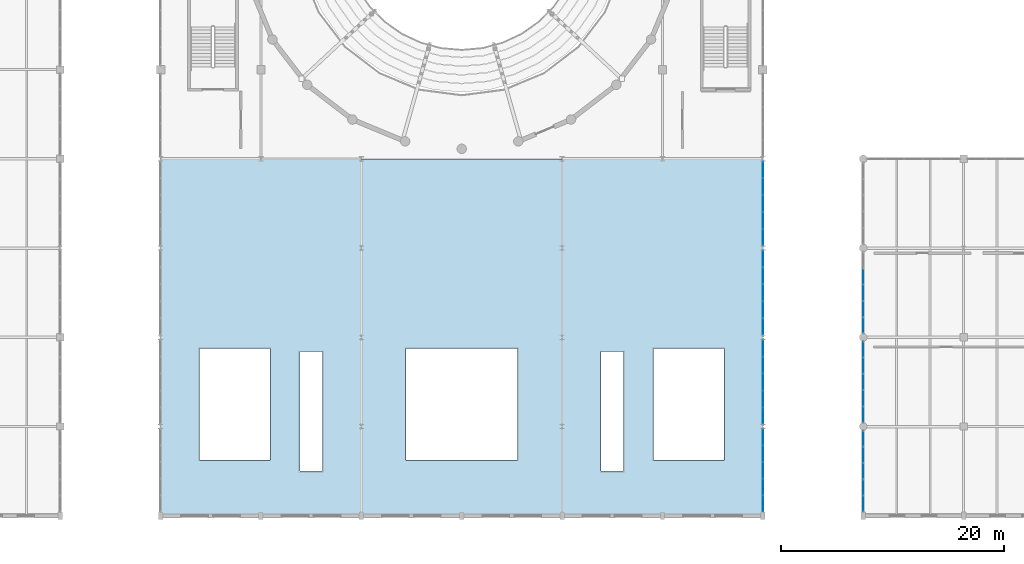
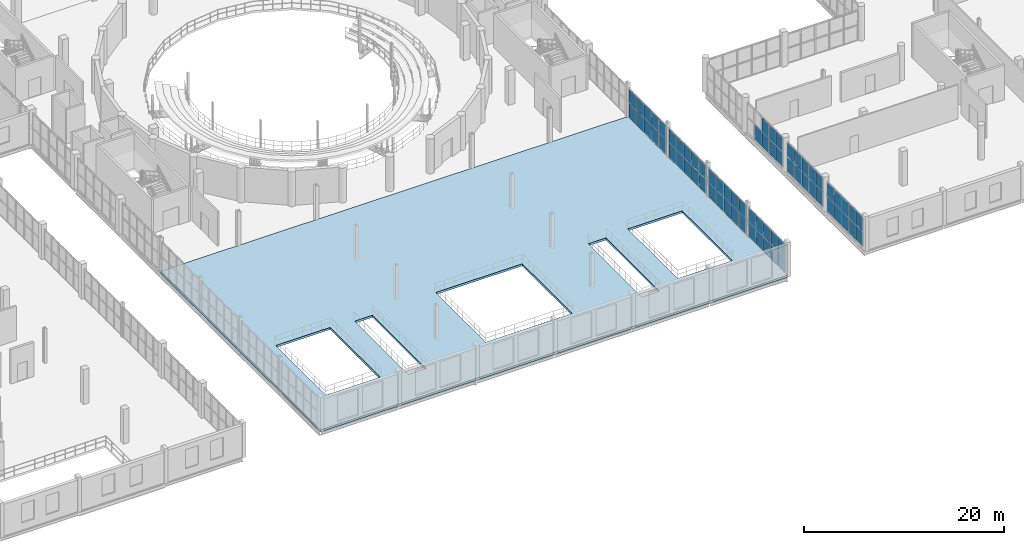
# One storey, part 52 of 85: 67 plates, 1 slab, 7 elements without a shape of their own.
"""IFC4 building model written with IfcOpenShell, lengths in metres."""

from ifc_helpers import new_model, si_unit, direction, frame, origin, origin_2d, place, context, subcontext, project, spatial, polyline, rectangle, outline, extrude, material, layer, layer_set, type_object, element, aggregate, save


model = new_model("IFC4")

# Units and contexts
model_context = context("Model", 3, precision=1e-05, world=origin(), true_north=direction((0.0, 1.0)))
body_context = subcontext(model_context, "Body", "Model", "MODEL_VIEW")
ifc_project = project(units=[si_unit("LENGTHUNIT", "METRE"), si_unit("AREAUNIT", "SQUARE_METRE"), si_unit("VOLUMEUNIT", "CUBIC_METRE"), si_unit("PLANEANGLEUNIT", "RADIAN"), si_unit("MASSUNIT", "GRAM", prefix="KILO")], contexts=[model_context])

# Site, building, storey
site_placement = place(None, origin())
site = spatial("IfcSite", under=ifc_project, at=site_placement, CompositionType="ELEMENT")
building_placement = place(site_placement, origin())
building = spatial("IfcBuilding", under=site, at=building_placement, Name="Marnock Terrace Opera House", CompositionType="ELEMENT")
storey_placement = place(building_placement, frame((0.0, 0.0, 10.199951171875)))
storey = spatial("IfcBuildingStorey", under=building, at=storey_placement, Name="L02", CompositionType="ELEMENT", Elevation=10.199951171875)

# Curtain wall, plates
ifc_material_1 = material(Name="Anodised architectural bronze aluminium framing", Category="aluminium")
ifc_layer_1 = layer(ifc_material_1, 0.159912109375)
ifc_layer_set_1 = layer_set([ifc_layer_1], Name="Anodised architectural bronze aluminium framing")
curtain_wall_type_1 = type_object("IfcCurtainWallType", Name="CW-FOYER-80x42", PredefinedType="NOTDEFINED", material=ifc_layer_set_1)
curtain_wall_1_placement = place(storey_placement, origin())
curtain_wall_1 = element("IfcCurtainWall", 1, at=curtain_wall_1_placement, inside=storey, type_object=curtain_wall_type_1, Name="L02 glazed Beaux-Arts colonnade curtain wall CW-V1E-L02-01", PredefinedType="NOTDEFINED")
ifc_material_2 = material(Name="Double-glazed acoustic low-E laminated glass", Category="glass")
ifc_layer_2 = layer(ifc_material_2, 0.028076171875)
ifc_layer_set_2 = layer_set([ifc_layer_2], Name="Double-glazed acoustic low-E laminated glass")
plate_type = type_object("IfcPlateType", Name="CWP-GLZ-28", PredefinedType="CURTAIN_PANEL", material=ifc_layer_set_2)
plate_1_placement = place(storey_placement, frame((109.0, 9.106689453125, 0.06005859375), z_axis=(0.0, 0.0, 1.0), x_axis=(0.0, 1.0, 0.0)))
plate_1 = element("IfcPlate", 2, at=plate_1_placement, type_object=plate_type, Name="CW-62 panel 1.1", PredefinedType="CURTAIN_PANEL", context=body_context, shape_type="SweptSolid", body=[
    extrude(rectangle(XDim=1.401611328125, YDim=0.028076171875, at=origin_2d()), origin(), (0.0, 0.0, 1.0), 1.7861328125),
])
plate_2_placement = place(storey_placement, frame((109.0, 9.106689453125, 1.90625), z_axis=(0.0, 0.0, 1.0), x_axis=(0.0, 1.0, 0.0)))
plate_2 = element("IfcPlate", 3, at=plate_2_placement, type_object=plate_type, Name="CW-62 panel 1.2", PredefinedType="CURTAIN_PANEL", context=body_context, shape_type="SweptSolid", body=[
    extrude(rectangle(XDim=1.401611328125, YDim=0.028076171875, at=origin_2d()), origin(), (0.0, 0.0, 1.0), 1.641845703125),
])
plate_3_placement = place(storey_placement, frame((109.0, 10.58349609375, 0.06005859375), z_axis=(0.0, 0.0, 1.0), x_axis=(0.0, 1.0, 0.0)))
plate_3 = element("IfcPlate", 4, at=plate_3_placement, type_object=plate_type, Name="CW-62 panel 2.1", PredefinedType="CURTAIN_PANEL", context=body_context, shape_type="SweptSolid", body=[
    extrude(rectangle(XDim=1.431640625, YDim=0.028076171875, at=origin_2d()), origin(), (0.0, 0.0, 1.0), 1.7861328125),
])
plate_4_placement = place(storey_placement, frame((109.0, 10.58349609375, 1.90625), z_axis=(0.0, 0.0, 1.0), x_axis=(0.0, 1.0, 0.0)))
plate_4 = element("IfcPlate", 5, at=plate_4_placement, type_object=plate_type, Name="CW-62 panel 2.2", PredefinedType="CURTAIN_PANEL", context=body_context, shape_type="SweptSolid", body=[
    extrude(rectangle(XDim=1.431640625, YDim=0.028076171875, at=origin_2d()), origin(), (0.0, 0.0, 1.0), 1.641845703125),
])
plate_5_placement = place(storey_placement, frame((109.0, 12.074951171875, 0.06005859375), z_axis=(0.0, 0.0, 1.0), x_axis=(0.0, 1.0, 0.0)))
plate_5 = element("IfcPlate", 6, at=plate_5_placement, type_object=plate_type, Name="CW-62 panel 3.1", PredefinedType="CURTAIN_PANEL", context=body_context, shape_type="SweptSolid", body=[
    extrude(rectangle(XDim=1.431640625, YDim=0.028076171875, at=origin_2d()), origin(), (0.0, 0.0, 1.0), 1.7861328125),
])
plate_6_placement = place(storey_placement, frame((109.0, 12.074951171875, 1.90625), z_axis=(0.0, 0.0, 1.0), x_axis=(0.0, 1.0, 0.0)))
plate_6 = element("IfcPlate", 7, at=plate_6_placement, type_object=plate_type, Name="CW-62 panel 3.2", PredefinedType="CURTAIN_PANEL", context=body_context, shape_type="SweptSolid", body=[
    extrude(rectangle(XDim=1.431640625, YDim=0.028076171875, at=origin_2d()), origin(), (0.0, 0.0, 1.0), 1.641845703125),
])
plate_7_placement = place(storey_placement, frame((109.0, 13.566650390625, 0.06005859375), z_axis=(0.0, 0.0, 1.0), x_axis=(0.0, 1.0, 0.0)))
plate_7 = element("IfcPlate", 8, at=plate_7_placement, type_object=plate_type, Name="CW-62 panel 4.1", PredefinedType="CURTAIN_PANEL", context=body_context, shape_type="SweptSolid", body=[
    extrude(rectangle(XDim=1.431640625, YDim=0.028076171875, at=origin_2d()), origin(), (0.0, 0.0, 1.0), 1.7861328125),
])
plate_8_placement = place(storey_placement, frame((109.0, 13.566650390625, 1.90625), z_axis=(0.0, 0.0, 1.0), x_axis=(0.0, 1.0, 0.0)))
plate_8 = element("IfcPlate", 9, at=plate_8_placement, type_object=plate_type, Name="CW-62 panel 4.2", PredefinedType="CURTAIN_PANEL", context=body_context, shape_type="SweptSolid", body=[
    extrude(rectangle(XDim=1.431640625, YDim=0.028076171875, at=origin_2d()), origin(), (0.0, 0.0, 1.0), 1.641845703125),
])
plate_9_placement = place(storey_placement, frame((109.0, 15.043212890625, 0.06005859375), z_axis=(0.0, 0.0, 1.0), x_axis=(0.0, 1.0, 0.0)))
plate_9 = element("IfcPlate", 10, at=plate_9_placement, type_object=plate_type, Name="CW-62 panel 5.1", PredefinedType="CURTAIN_PANEL", context=body_context, shape_type="SweptSolid", body=[
    extrude(rectangle(XDim=1.401611328125, YDim=0.028076171875, at=origin_2d()), origin(), (0.0, 0.0, 1.0), 1.7861328125),
])
plate_10_placement = place(storey_placement, frame((109.0, 15.043212890625, 1.90625), z_axis=(0.0, 0.0, 1.0), x_axis=(0.0, 1.0, 0.0)))
plate_10 = element("IfcPlate", 11, at=plate_10_placement, type_object=plate_type, Name="CW-62 panel 5.2", PredefinedType="CURTAIN_PANEL", context=body_context, shape_type="SweptSolid", body=[
    extrude(rectangle(XDim=1.401611328125, YDim=0.028076171875, at=origin_2d()), origin(), (0.0, 0.0, 1.0), 1.641845703125),
])
aggregate(curtain_wall_1, [plate_1, plate_2, plate_3, plate_4, plate_5, plate_6, plate_7, plate_8, plate_9, plate_10])

curtain_wall_2_placement = place(storey_placement, origin())
curtain_wall_2 = element("IfcCurtainWall", 12, at=curtain_wall_2_placement, inside=storey, type_object=curtain_wall_type_1, Name="L02 glazed Beaux-Arts colonnade curtain wall CW-V1E-L02-02", PredefinedType="NOTDEFINED")
plate_11_placement = place(storey_placement, frame((109.0, 16.9716796875, 0.06005859375), z_axis=(0.0, 0.0, 1.0), x_axis=(0.0, 1.0, 0.0)))
plate_11 = element("IfcPlate", 13, at=plate_11_placement, type_object=plate_type, Name="CW-62 panel 1.1", PredefinedType="CURTAIN_PANEL", context=body_context, shape_type="SweptSolid", body=[
    extrude(rectangle(XDim=1.431640625, YDim=0.028076171875, at=origin_2d()), origin(), (0.0, 0.0, 1.0), 1.7861328125),
])
plate_12_placement = place(storey_placement, frame((109.0, 16.9716796875, 1.90625), z_axis=(0.0, 0.0, 1.0), x_axis=(0.0, 1.0, 0.0)))
plate_12 = element("IfcPlate", 14, at=plate_12_placement, type_object=plate_type, Name="CW-62 panel 1.2", PredefinedType="CURTAIN_PANEL", context=body_context, shape_type="SweptSolid", body=[
    extrude(rectangle(XDim=1.431640625, YDim=0.028076171875, at=origin_2d()), origin(), (0.0, 0.0, 1.0), 1.641845703125),
])
plate_13_placement = place(storey_placement, frame((109.0, 18.478515625, 0.06005859375), z_axis=(0.0, 0.0, 1.0), x_axis=(0.0, 1.0, 0.0)))
plate_13 = element("IfcPlate", 15, at=plate_13_placement, type_object=plate_type, Name="CW-62 panel 2.1", PredefinedType="CURTAIN_PANEL", context=body_context, shape_type="SweptSolid", body=[
    extrude(rectangle(XDim=1.461669921875, YDim=0.028076171875, at=origin_2d()), origin(), (0.0, 0.0, 1.0), 1.7861328125),
])
plate_14_placement = place(storey_placement, frame((109.0, 18.478515625, 1.90625), z_axis=(0.0, 0.0, 1.0), x_axis=(0.0, 1.0, 0.0)))
plate_14 = element("IfcPlate", 16, at=plate_14_placement, type_object=plate_type, Name="CW-62 panel 2.2", PredefinedType="CURTAIN_PANEL", context=body_context, shape_type="SweptSolid", body=[
    extrude(rectangle(XDim=1.461669921875, YDim=0.028076171875, at=origin_2d()), origin(), (0.0, 0.0, 1.0), 1.641845703125),
])
plate_15_placement = place(storey_placement, frame((109.0, 20.0, 0.06005859375), z_axis=(0.0, 0.0, 1.0), x_axis=(0.0, 1.0, 0.0)))
plate_15 = element("IfcPlate", 17, at=plate_15_placement, type_object=plate_type, Name="CW-62 panel 3.1", PredefinedType="CURTAIN_PANEL", context=body_context, shape_type="SweptSolid", body=[
    extrude(rectangle(XDim=1.461669921875, YDim=0.028076171875, at=origin_2d()), origin(), (0.0, 0.0, 1.0), 1.7861328125),
])
plate_16_placement = place(storey_placement, frame((109.0, 20.0, 1.90625), z_axis=(0.0, 0.0, 1.0), x_axis=(0.0, 1.0, 0.0)))
plate_16 = element("IfcPlate", 18, at=plate_16_placement, type_object=plate_type, Name="CW-62 panel 3.2", PredefinedType="CURTAIN_PANEL", context=body_context, shape_type="SweptSolid", body=[
    extrude(rectangle(XDim=1.461669921875, YDim=0.028076171875, at=origin_2d()), origin(), (0.0, 0.0, 1.0), 1.641845703125),
])
plate_17_placement = place(storey_placement, frame((109.0, 21.521484375, 0.06005859375), z_axis=(0.0, 0.0, 1.0), x_axis=(0.0, 1.0, 0.0)))
plate_17 = element("IfcPlate", 19, at=plate_17_placement, type_object=plate_type, Name="CW-62 panel 4.1", PredefinedType="CURTAIN_PANEL", context=body_context, shape_type="SweptSolid", body=[
    extrude(rectangle(XDim=1.461669921875, YDim=0.028076171875, at=origin_2d()), origin(), (0.0, 0.0, 1.0), 1.7861328125),
])
plate_18_placement = place(storey_placement, frame((109.0, 21.521484375, 1.90625), z_axis=(0.0, 0.0, 1.0), x_axis=(0.0, 1.0, 0.0)))
plate_18 = element("IfcPlate", 20, at=plate_18_placement, type_object=plate_type, Name="CW-62 panel 4.2", PredefinedType="CURTAIN_PANEL", context=body_context, shape_type="SweptSolid", body=[
    extrude(rectangle(XDim=1.461669921875, YDim=0.028076171875, at=origin_2d()), origin(), (0.0, 0.0, 1.0), 1.641845703125),
])
plate_19_placement = place(storey_placement, frame((109.0, 23.0283203125, 0.06005859375), z_axis=(0.0, 0.0, 1.0), x_axis=(0.0, 1.0, 0.0)))
plate_19 = element("IfcPlate", 21, at=plate_19_placement, type_object=plate_type, Name="CW-62 panel 5.1", PredefinedType="CURTAIN_PANEL", context=body_context, shape_type="SweptSolid", body=[
    extrude(rectangle(XDim=1.431640625, YDim=0.028076171875, at=origin_2d()), origin(), (0.0, 0.0, 1.0), 1.7861328125),
])
plate_20_placement = place(storey_placement, frame((109.0, 23.0283203125, 1.90625), z_axis=(0.0, 0.0, 1.0), x_axis=(0.0, 1.0, 0.0)))
plate_20 = element("IfcPlate", 22, at=plate_20_placement, type_object=plate_type, Name="CW-62 panel 5.2", PredefinedType="CURTAIN_PANEL", context=body_context, shape_type="SweptSolid", body=[
    extrude(rectangle(XDim=1.431640625, YDim=0.028076171875, at=origin_2d()), origin(), (0.0, 0.0, 1.0), 1.641845703125),
])
aggregate(curtain_wall_2, [plate_11, plate_12, plate_13, plate_14, plate_15, plate_16, plate_17, plate_18, plate_19, plate_20])

curtain_wall_3_placement = place(storey_placement, origin())
curtain_wall_3 = element("IfcCurtainWall", 23, at=curtain_wall_3_placement, inside=storey, type_object=curtain_wall_type_1, Name="L02 glazed Beaux-Arts colonnade curtain wall CW-V1E-L02-03", PredefinedType="NOTDEFINED")
plate_21_placement = place(storey_placement, frame((109.0, 24.9716796875, 0.06005859375), z_axis=(0.0, 0.0, 1.0), x_axis=(0.0, 1.0, 0.0)))
plate_21 = element("IfcPlate", 24, at=plate_21_placement, type_object=plate_type, Name="CW-62 panel 1.1", PredefinedType="CURTAIN_PANEL", context=body_context, shape_type="SweptSolid", body=[
    extrude(rectangle(XDim=1.431640625, YDim=0.028076171875, at=origin_2d()), origin(), (0.0, 0.0, 1.0), 1.7861328125),
])
plate_22_placement = place(storey_placement, frame((109.0, 24.9716796875, 1.90625), z_axis=(0.0, 0.0, 1.0), x_axis=(0.0, 1.0, 0.0)))
plate_22 = element("IfcPlate", 25, at=plate_22_placement, type_object=plate_type, Name="CW-62 panel 1.2", PredefinedType="CURTAIN_PANEL", context=body_context, shape_type="SweptSolid", body=[
    extrude(rectangle(XDim=1.431640625, YDim=0.028076171875, at=origin_2d()), origin(), (0.0, 0.0, 1.0), 1.641845703125),
])
plate_23_placement = place(storey_placement, frame((109.0, 26.478515625, 0.06005859375), z_axis=(0.0, 0.0, 1.0), x_axis=(0.0, 1.0, 0.0)))
plate_23 = element("IfcPlate", 26, at=plate_23_placement, type_object=plate_type, Name="CW-62 panel 2.1", PredefinedType="CURTAIN_PANEL", context=body_context, shape_type="SweptSolid", body=[
    extrude(rectangle(XDim=1.461669921875, YDim=0.028076171875, at=origin_2d()), origin(), (0.0, 0.0, 1.0), 1.7861328125),
])
plate_24_placement = place(storey_placement, frame((109.0, 26.478515625, 1.90625), z_axis=(0.0, 0.0, 1.0), x_axis=(0.0, 1.0, 0.0)))
plate_24 = element("IfcPlate", 27, at=plate_24_placement, type_object=plate_type, Name="CW-62 panel 2.2", PredefinedType="CURTAIN_PANEL", context=body_context, shape_type="SweptSolid", body=[
    extrude(rectangle(XDim=1.461669921875, YDim=0.028076171875, at=origin_2d()), origin(), (0.0, 0.0, 1.0), 1.641845703125),
])
plate_25_placement = place(storey_placement, frame((109.0, 28.0, 0.06005859375), z_axis=(0.0, 0.0, 1.0), x_axis=(0.0, 1.0, 0.0)))
plate_25 = element("IfcPlate", 28, at=plate_25_placement, type_object=plate_type, Name="CW-62 panel 3.1", PredefinedType="CURTAIN_PANEL", context=body_context, shape_type="SweptSolid", body=[
    extrude(rectangle(XDim=1.461669921875, YDim=0.028076171875, at=origin_2d()), origin(), (0.0, 0.0, 1.0), 1.7861328125),
])
plate_26_placement = place(storey_placement, frame((109.0, 28.0, 1.90625), z_axis=(0.0, 0.0, 1.0), x_axis=(0.0, 1.0, 0.0)))
plate_26 = element("IfcPlate", 29, at=plate_26_placement, type_object=plate_type, Name="CW-62 panel 3.2", PredefinedType="CURTAIN_PANEL", context=body_context, shape_type="SweptSolid", body=[
    extrude(rectangle(XDim=1.461669921875, YDim=0.028076171875, at=origin_2d()), origin(), (0.0, 0.0, 1.0), 1.641845703125),
])
plate_27_placement = place(storey_placement, frame((109.0, 29.521484375, 0.06005859375), z_axis=(0.0, 0.0, 1.0), x_axis=(0.0, 1.0, 0.0)))
plate_27 = element("IfcPlate", 30, at=plate_27_placement, type_object=plate_type, Name="CW-62 panel 4.1", PredefinedType="CURTAIN_PANEL", context=body_context, shape_type="SweptSolid", body=[
    extrude(rectangle(XDim=1.461669921875, YDim=0.028076171875, at=origin_2d()), origin(), (0.0, 0.0, 1.0), 1.7861328125),
])
plate_28_placement = place(storey_placement, frame((109.0, 29.521484375, 1.90625), z_axis=(0.0, 0.0, 1.0), x_axis=(0.0, 1.0, 0.0)))
plate_28 = element("IfcPlate", 31, at=plate_28_placement, type_object=plate_type, Name="CW-62 panel 4.2", PredefinedType="CURTAIN_PANEL", context=body_context, shape_type="SweptSolid", body=[
    extrude(rectangle(XDim=1.461669921875, YDim=0.028076171875, at=origin_2d()), origin(), (0.0, 0.0, 1.0), 1.641845703125),
])
plate_29_placement = place(storey_placement, frame((109.0, 31.0283203125, 0.06005859375), z_axis=(0.0, 0.0, 1.0), x_axis=(0.0, 1.0, 0.0)))
plate_29 = element("IfcPlate", 32, at=plate_29_placement, type_object=plate_type, Name="CW-62 panel 5.1", PredefinedType="CURTAIN_PANEL", context=body_context, shape_type="SweptSolid", body=[
    extrude(rectangle(XDim=1.431640625, YDim=0.028076171875, at=origin_2d()), origin(), (0.0, 0.0, 1.0), 1.7861328125),
])
plate_30_placement = place(storey_placement, frame((109.0, 31.0283203125, 1.90625), z_axis=(0.0, 0.0, 1.0), x_axis=(0.0, 1.0, 0.0)))
plate_30 = element("IfcPlate", 33, at=plate_30_placement, type_object=plate_type, Name="CW-62 panel 5.2", PredefinedType="CURTAIN_PANEL", context=body_context, shape_type="SweptSolid", body=[
    extrude(rectangle(XDim=1.431640625, YDim=0.028076171875, at=origin_2d()), origin(), (0.0, 0.0, 1.0), 1.641845703125),
])
aggregate(curtain_wall_3, [plate_21, plate_22, plate_23, plate_24, plate_25, plate_26, plate_27, plate_28, plate_29, plate_30])

curtain_wall_4_placement = place(storey_placement, origin())
curtain_wall_4 = element("IfcCurtainWall", 34, at=curtain_wall_4_placement, inside=storey, type_object=curtain_wall_type_1, Name="L02 glazed Beaux-Arts colonnade curtain wall CW-V1E-L02-04", PredefinedType="NOTDEFINED")
plate_31_placement = place(storey_placement, frame((109.0, 32.9716796875, 0.06005859375), z_axis=(0.0, 0.0, 1.0), x_axis=(0.0, 1.0, 0.0)))
plate_31 = element("IfcPlate", 35, at=plate_31_placement, type_object=plate_type, Name="CW-62 panel 1.1", PredefinedType="CURTAIN_PANEL", context=body_context, shape_type="SweptSolid", body=[
    extrude(rectangle(XDim=1.431640625, YDim=0.028076171875, at=origin_2d()), origin(), (0.0, 0.0, 1.0), 1.7861328125),
])
plate_32_placement = place(storey_placement, frame((109.0, 32.9716796875, 1.90625), z_axis=(0.0, 0.0, 1.0), x_axis=(0.0, 1.0, 0.0)))
plate_32 = element("IfcPlate", 36, at=plate_32_placement, type_object=plate_type, Name="CW-62 panel 1.2", PredefinedType="CURTAIN_PANEL", context=body_context, shape_type="SweptSolid", body=[
    extrude(rectangle(XDim=1.431640625, YDim=0.028076171875, at=origin_2d()), origin(), (0.0, 0.0, 1.0), 1.641845703125),
])
plate_33_placement = place(storey_placement, frame((109.0, 34.478515625, 0.06005859375), z_axis=(0.0, 0.0, 1.0), x_axis=(0.0, 1.0, 0.0)))
plate_33 = element("IfcPlate", 37, at=plate_33_placement, type_object=plate_type, Name="CW-62 panel 2.1", PredefinedType="CURTAIN_PANEL", context=body_context, shape_type="SweptSolid", body=[
    extrude(rectangle(XDim=1.461669921875, YDim=0.028076171875, at=origin_2d()), origin(), (0.0, 0.0, 1.0), 1.7861328125),
])
plate_34_placement = place(storey_placement, frame((109.0, 34.478515625, 1.90625), z_axis=(0.0, 0.0, 1.0), x_axis=(0.0, 1.0, 0.0)))
plate_34 = element("IfcPlate", 38, at=plate_34_placement, type_object=plate_type, Name="CW-62 panel 2.2", PredefinedType="CURTAIN_PANEL", context=body_context, shape_type="SweptSolid", body=[
    extrude(rectangle(XDim=1.461669921875, YDim=0.028076171875, at=origin_2d()), origin(), (0.0, 0.0, 1.0), 1.641845703125),
])
plate_35_placement = place(storey_placement, frame((109.0, 36.0, 0.06005859375), z_axis=(0.0, 0.0, 1.0), x_axis=(0.0, 1.0, 0.0)))
plate_35 = element("IfcPlate", 39, at=plate_35_placement, type_object=plate_type, Name="CW-62 panel 3.1", PredefinedType="CURTAIN_PANEL", context=body_context, shape_type="SweptSolid", body=[
    extrude(rectangle(XDim=1.461669921875, YDim=0.028076171875, at=origin_2d()), origin(), (0.0, 0.0, 1.0), 1.7861328125),
])
plate_36_placement = place(storey_placement, frame((109.0, 36.0, 1.90625), z_axis=(0.0, 0.0, 1.0), x_axis=(0.0, 1.0, 0.0)))
plate_36 = element("IfcPlate", 40, at=plate_36_placement, type_object=plate_type, Name="CW-62 panel 3.2", PredefinedType="CURTAIN_PANEL", context=body_context, shape_type="SweptSolid", body=[
    extrude(rectangle(XDim=1.461669921875, YDim=0.028076171875, at=origin_2d()), origin(), (0.0, 0.0, 1.0), 1.641845703125),
])
plate_37_placement = place(storey_placement, frame((109.0, 37.521484375, 0.06005859375), z_axis=(0.0, 0.0, 1.0), x_axis=(0.0, 1.0, 0.0)))
plate_37 = element("IfcPlate", 41, at=plate_37_placement, type_object=plate_type, Name="CW-62 panel 4.1", PredefinedType="CURTAIN_PANEL", context=body_context, shape_type="SweptSolid", body=[
    extrude(rectangle(XDim=1.461669921875, YDim=0.028076171875, at=origin_2d()), origin(), (0.0, 0.0, 1.0), 1.7861328125),
])
plate_38_placement = place(storey_placement, frame((109.0, 37.521484375, 1.90625), z_axis=(0.0, 0.0, 1.0), x_axis=(0.0, 1.0, 0.0)))
plate_38 = element("IfcPlate", 42, at=plate_38_placement, type_object=plate_type, Name="CW-62 panel 4.2", PredefinedType="CURTAIN_PANEL", context=body_context, shape_type="SweptSolid", body=[
    extrude(rectangle(XDim=1.461669921875, YDim=0.028076171875, at=origin_2d()), origin(), (0.0, 0.0, 1.0), 1.641845703125),
])
plate_39_placement = place(storey_placement, frame((109.0, 39.0283203125, 0.06005859375), z_axis=(0.0, 0.0, 1.0), x_axis=(0.0, 1.0, 0.0)))
plate_39 = element("IfcPlate", 43, at=plate_39_placement, type_object=plate_type, Name="CW-62 panel 5.1", PredefinedType="CURTAIN_PANEL", context=body_context, shape_type="SweptSolid", body=[
    extrude(rectangle(XDim=1.431640625, YDim=0.028076171875, at=origin_2d()), origin(), (0.0, 0.0, 1.0), 1.7861328125),
])
plate_40_placement = place(storey_placement, frame((109.0, 39.0283203125, 1.90625), z_axis=(0.0, 0.0, 1.0), x_axis=(0.0, 1.0, 0.0)))
plate_40 = element("IfcPlate", 44, at=plate_40_placement, type_object=plate_type, Name="CW-62 panel 5.2", PredefinedType="CURTAIN_PANEL", context=body_context, shape_type="SweptSolid", body=[
    extrude(rectangle(XDim=1.431640625, YDim=0.028076171875, at=origin_2d()), origin(), (0.0, 0.0, 1.0), 1.641845703125),
])
aggregate(curtain_wall_4, [plate_31, plate_32, plate_33, plate_34, plate_35, plate_36, plate_37, plate_38, plate_39, plate_40])

ifc_layer_3 = layer(ifc_material_1, 0.159912109375)
ifc_layer_set_3 = layer_set([ifc_layer_3], Name="Anodised architectural bronze aluminium framing")
curtain_wall_type_2 = type_object("IfcCurtainWallType", Name="CW-LOGGIA-86x42", PredefinedType="NOTDEFINED", material=ifc_layer_set_3)
curtain_wall_5_placement = place(storey_placement, origin())
curtain_wall_5 = element("IfcCurtainWall", 45, at=curtain_wall_5_placement, inside=storey, type_object=curtain_wall_type_2, Name="L02 glazed Beaux-Arts colonnade curtain wall CW-V5-L02-W1", PredefinedType="NOTDEFINED")
plate_41_placement = place(storey_placement, frame((118.0, 9.091796875, 0.06005859375), z_axis=(0.0, 0.0, 1.0), x_axis=(0.0, 1.0, 0.0)))
plate_41 = element("IfcPlate", 46, at=plate_41_placement, type_object=plate_type, Name="CW-66 panel 1.1", PredefinedType="CURTAIN_PANEL", context=body_context, shape_type="SweptSolid", body=[
    extrude(rectangle(XDim=1.37158203125, YDim=0.028076171875, at=origin_2d()), origin(), (0.0, 0.0, 1.0), 1.82470703125),
])
plate_42_placement = place(storey_placement, frame((118.0, 9.091796875, 1.94482421875), z_axis=(0.0, 0.0, 1.0), x_axis=(0.0, 1.0, 0.0)))
plate_42 = element("IfcPlate", 47, at=plate_42_placement, type_object=plate_type, Name="CW-66 panel 1.2", PredefinedType="CURTAIN_PANEL", context=body_context, shape_type="SweptSolid", body=[
    extrude(rectangle(XDim=1.37158203125, YDim=0.028076171875, at=origin_2d()), origin(), (0.0, 0.0, 1.0), 1.677490234375),
])
plate_43_placement = place(storey_placement, frame((118.0, 10.538330078125, 0.06005859375), z_axis=(0.0, 0.0, 1.0), x_axis=(0.0, 1.0, 0.0)))
plate_43 = element("IfcPlate", 48, at=plate_43_placement, type_object=plate_type, Name="CW-66 panel 2.1", PredefinedType="CURTAIN_PANEL", context=body_context, shape_type="SweptSolid", body=[
    extrude(rectangle(XDim=1.401611328125, YDim=0.028076171875, at=origin_2d()), origin(), (0.0, 0.0, 1.0), 1.82470703125),
])
plate_44_placement = place(storey_placement, frame((118.0, 10.538330078125, 1.94482421875), z_axis=(0.0, 0.0, 1.0), x_axis=(0.0, 1.0, 0.0)))
plate_44 = element("IfcPlate", 49, at=plate_44_placement, type_object=plate_type, Name="CW-66 panel 2.2", PredefinedType="CURTAIN_PANEL", context=body_context, shape_type="SweptSolid", body=[
    extrude(rectangle(XDim=1.401611328125, YDim=0.028076171875, at=origin_2d()), origin(), (0.0, 0.0, 1.0), 1.677490234375),
])
plate_45_placement = place(storey_placement, frame((118.0, 12.0, 0.06005859375), z_axis=(0.0, 0.0, 1.0), x_axis=(0.0, 1.0, 0.0)))
plate_45 = element("IfcPlate", 50, at=plate_45_placement, type_object=plate_type, Name="CW-66 panel 3.1", PredefinedType="CURTAIN_PANEL", context=body_context, shape_type="SweptSolid", body=[
    extrude(rectangle(XDim=1.401611328125, YDim=0.028076171875, at=origin_2d()), origin(), (0.0, 0.0, 1.0), 1.82470703125),
])
plate_46_placement = place(storey_placement, frame((118.0, 12.0, 1.94482421875), z_axis=(0.0, 0.0, 1.0), x_axis=(0.0, 1.0, 0.0)))
plate_46 = element("IfcPlate", 51, at=plate_46_placement, type_object=plate_type, Name="CW-66 panel 3.2", PredefinedType="CURTAIN_PANEL", context=body_context, shape_type="SweptSolid", body=[
    extrude(rectangle(XDim=1.401611328125, YDim=0.028076171875, at=origin_2d()), origin(), (0.0, 0.0, 1.0), 1.677490234375),
])
plate_47_placement = place(storey_placement, frame((118.0, 13.461669921875, 0.06005859375), z_axis=(0.0, 0.0, 1.0), x_axis=(0.0, 1.0, 0.0)))
plate_47 = element("IfcPlate", 52, at=plate_47_placement, type_object=plate_type, Name="CW-66 panel 4.1", PredefinedType="CURTAIN_PANEL", context=body_context, shape_type="SweptSolid", body=[
    extrude(rectangle(XDim=1.401611328125, YDim=0.028076171875, at=origin_2d()), origin(), (0.0, 0.0, 1.0), 1.82470703125),
])
plate_48_placement = place(storey_placement, frame((118.0, 13.461669921875, 1.94482421875), z_axis=(0.0, 0.0, 1.0), x_axis=(0.0, 1.0, 0.0)))
plate_48 = element("IfcPlate", 53, at=plate_48_placement, type_object=plate_type, Name="CW-66 panel 4.2", PredefinedType="CURTAIN_PANEL", context=body_context, shape_type="SweptSolid", body=[
    extrude(rectangle(XDim=1.401611328125, YDim=0.028076171875, at=origin_2d()), origin(), (0.0, 0.0, 1.0), 1.677490234375),
])
plate_49_placement = place(storey_placement, frame((118.0, 14.908203125, 0.06005859375), z_axis=(0.0, 0.0, 1.0), x_axis=(0.0, 1.0, 0.0)))
plate_49 = element("IfcPlate", 54, at=plate_49_placement, type_object=plate_type, Name="CW-66 panel 5.1", PredefinedType="CURTAIN_PANEL", context=body_context, shape_type="SweptSolid", body=[
    extrude(rectangle(XDim=1.37158203125, YDim=0.028076171875, at=origin_2d()), origin(), (0.0, 0.0, 1.0), 1.82470703125),
])
plate_50_placement = place(storey_placement, frame((118.0, 14.908203125, 1.94482421875), z_axis=(0.0, 0.0, 1.0), x_axis=(0.0, 1.0, 0.0)))
plate_50 = element("IfcPlate", 55, at=plate_50_placement, type_object=plate_type, Name="CW-66 panel 5.2", PredefinedType="CURTAIN_PANEL", context=body_context, shape_type="SweptSolid", body=[
    extrude(rectangle(XDim=1.37158203125, YDim=0.028076171875, at=origin_2d()), origin(), (0.0, 0.0, 1.0), 1.677490234375),
])
aggregate(curtain_wall_5, [plate_41, plate_42, plate_43, plate_44, plate_45, plate_46, plate_47, plate_48, plate_49, plate_50])

curtain_wall_6_placement = place(storey_placement, origin())
curtain_wall_6 = element("IfcCurtainWall", 56, at=curtain_wall_6_placement, inside=storey, type_object=curtain_wall_type_2, Name="L02 glazed Beaux-Arts colonnade curtain wall CW-V5-L02-W2", PredefinedType="NOTDEFINED")
plate_51_placement = place(storey_placement, frame((118.0, 17.091796875, 0.06005859375), z_axis=(0.0, 0.0, 1.0), x_axis=(0.0, 1.0, 0.0)))
plate_51 = element("IfcPlate", 57, at=plate_51_placement, type_object=plate_type, Name="CW-66 panel 1.1", PredefinedType="CURTAIN_PANEL", context=body_context, shape_type="SweptSolid", body=[
    extrude(rectangle(XDim=1.37158203125, YDim=0.028076171875, at=origin_2d()), origin(), (0.0, 0.0, 1.0), 1.82470703125),
])
plate_52_placement = place(storey_placement, frame((118.0, 17.091796875, 1.94482421875), z_axis=(0.0, 0.0, 1.0), x_axis=(0.0, 1.0, 0.0)))
plate_52 = element("IfcPlate", 58, at=plate_52_placement, type_object=plate_type, Name="CW-66 panel 1.2", PredefinedType="CURTAIN_PANEL", context=body_context, shape_type="SweptSolid", body=[
    extrude(rectangle(XDim=1.37158203125, YDim=0.028076171875, at=origin_2d()), origin(), (0.0, 0.0, 1.0), 1.677490234375),
])
plate_53_placement = place(storey_placement, frame((118.0, 18.538330078125, 0.06005859375), z_axis=(0.0, 0.0, 1.0), x_axis=(0.0, 1.0, 0.0)))
plate_53 = element("IfcPlate", 59, at=plate_53_placement, type_object=plate_type, Name="CW-66 panel 2.1", PredefinedType="CURTAIN_PANEL", context=body_context, shape_type="SweptSolid", body=[
    extrude(rectangle(XDim=1.401611328125, YDim=0.028076171875, at=origin_2d()), origin(), (0.0, 0.0, 1.0), 1.82470703125),
])
plate_54_placement = place(storey_placement, frame((118.0, 18.538330078125, 1.94482421875), z_axis=(0.0, 0.0, 1.0), x_axis=(0.0, 1.0, 0.0)))
plate_54 = element("IfcPlate", 60, at=plate_54_placement, type_object=plate_type, Name="CW-66 panel 2.2", PredefinedType="CURTAIN_PANEL", context=body_context, shape_type="SweptSolid", body=[
    extrude(rectangle(XDim=1.401611328125, YDim=0.028076171875, at=origin_2d()), origin(), (0.0, 0.0, 1.0), 1.677490234375),
])
plate_55_placement = place(storey_placement, frame((118.0, 20.0, 0.06005859375), z_axis=(0.0, 0.0, 1.0), x_axis=(0.0, 1.0, 0.0)))
plate_55 = element("IfcPlate", 61, at=plate_55_placement, type_object=plate_type, Name="CW-66 panel 3.1", PredefinedType="CURTAIN_PANEL", context=body_context, shape_type="SweptSolid", body=[
    extrude(rectangle(XDim=1.401611328125, YDim=0.028076171875, at=origin_2d()), origin(), (0.0, 0.0, 1.0), 1.82470703125),
])
plate_56_placement = place(storey_placement, frame((118.0, 20.0, 1.94482421875), z_axis=(0.0, 0.0, 1.0), x_axis=(0.0, 1.0, 0.0)))
plate_56 = element("IfcPlate", 62, at=plate_56_placement, type_object=plate_type, Name="CW-66 panel 3.2", PredefinedType="CURTAIN_PANEL", context=body_context, shape_type="SweptSolid", body=[
    extrude(rectangle(XDim=1.401611328125, YDim=0.028076171875, at=origin_2d()), origin(), (0.0, 0.0, 1.0), 1.677490234375),
])
plate_57_placement = place(storey_placement, frame((118.0, 21.461669921875, 0.06005859375), z_axis=(0.0, 0.0, 1.0), x_axis=(0.0, 1.0, 0.0)))
plate_57 = element("IfcPlate", 63, at=plate_57_placement, type_object=plate_type, Name="CW-66 panel 4.1", PredefinedType="CURTAIN_PANEL", context=body_context, shape_type="SweptSolid", body=[
    extrude(rectangle(XDim=1.401611328125, YDim=0.028076171875, at=origin_2d()), origin(), (0.0, 0.0, 1.0), 1.82470703125),
])
plate_58_placement = place(storey_placement, frame((118.0, 21.461669921875, 1.94482421875), z_axis=(0.0, 0.0, 1.0), x_axis=(0.0, 1.0, 0.0)))
plate_58 = element("IfcPlate", 64, at=plate_58_placement, type_object=plate_type, Name="CW-66 panel 4.2", PredefinedType="CURTAIN_PANEL", context=body_context, shape_type="SweptSolid", body=[
    extrude(rectangle(XDim=1.401611328125, YDim=0.028076171875, at=origin_2d()), origin(), (0.0, 0.0, 1.0), 1.677490234375),
])
plate_59_placement = place(storey_placement, frame((118.0, 22.908203125, 0.06005859375), z_axis=(0.0, 0.0, 1.0), x_axis=(0.0, 1.0, 0.0)))
plate_59 = element("IfcPlate", 65, at=plate_59_placement, type_object=plate_type, Name="CW-66 panel 5.1", PredefinedType="CURTAIN_PANEL", context=body_context, shape_type="SweptSolid", body=[
    extrude(rectangle(XDim=1.37158203125, YDim=0.028076171875, at=origin_2d()), origin(), (0.0, 0.0, 1.0), 1.82470703125),
])
plate_60_placement = place(storey_placement, frame((118.0, 22.908203125, 1.94482421875), z_axis=(0.0, 0.0, 1.0), x_axis=(0.0, 1.0, 0.0)))
plate_60 = element("IfcPlate", 66, at=plate_60_placement, type_object=plate_type, Name="CW-66 panel 5.2", PredefinedType="CURTAIN_PANEL", context=body_context, shape_type="SweptSolid", body=[
    extrude(rectangle(XDim=1.37158203125, YDim=0.028076171875, at=origin_2d()), origin(), (0.0, 0.0, 1.0), 1.677490234375),
])
aggregate(curtain_wall_6, [plate_51, plate_52, plate_53, plate_54, plate_55, plate_56, plate_57, plate_58, plate_59, plate_60])

curtain_wall_7_placement = place(storey_placement, origin())
curtain_wall_7 = element("IfcCurtainWall", 67, at=curtain_wall_7_placement, inside=storey, type_object=curtain_wall_type_2, Name="L02 glazed Beaux-Arts colonnade curtain wall CW-V5-L02-W3", PredefinedType="NOTDEFINED")
plate_61_placement = place(storey_placement, frame((118.0, 25.091796875, 0.06005859375), z_axis=(0.0, 0.0, 1.0), x_axis=(0.0, 1.0, 0.0)))
plate_61 = element("IfcPlate", 68, at=plate_61_placement, type_object=plate_type, Name="CW-66 panel 1.1", PredefinedType="CURTAIN_PANEL", context=body_context, shape_type="SweptSolid", body=[
    extrude(rectangle(XDim=1.37158203125, YDim=0.028076171875, at=origin_2d()), origin(), (0.0, 0.0, 1.0), 1.82470703125),
])
plate_62_placement = place(storey_placement, frame((118.0, 25.091796875, 1.94482421875), z_axis=(0.0, 0.0, 1.0), x_axis=(0.0, 1.0, 0.0)))
plate_62 = element("IfcPlate", 69, at=plate_62_placement, type_object=plate_type, Name="CW-66 panel 1.2", PredefinedType="CURTAIN_PANEL", context=body_context, shape_type="SweptSolid", body=[
    extrude(rectangle(XDim=1.37158203125, YDim=0.028076171875, at=origin_2d()), origin(), (0.0, 0.0, 1.0), 1.677490234375),
])
plate_63_placement = place(storey_placement, frame((118.0, 26.538330078125, 0.06005859375), z_axis=(0.0, 0.0, 1.0), x_axis=(0.0, 1.0, 0.0)))
plate_63 = element("IfcPlate", 70, at=plate_63_placement, type_object=plate_type, Name="CW-66 panel 2.1", PredefinedType="CURTAIN_PANEL", context=body_context, shape_type="SweptSolid", body=[
    extrude(rectangle(XDim=1.401611328125, YDim=0.028076171875, at=origin_2d()), origin(), (0.0, 0.0, 1.0), 1.82470703125),
])
plate_64_placement = place(storey_placement, frame((118.0, 26.538330078125, 1.94482421875), z_axis=(0.0, 0.0, 1.0), x_axis=(0.0, 1.0, 0.0)))
plate_64 = element("IfcPlate", 71, at=plate_64_placement, type_object=plate_type, Name="CW-66 panel 2.2", PredefinedType="CURTAIN_PANEL", context=body_context, shape_type="SweptSolid", body=[
    extrude(rectangle(XDim=1.401611328125, YDim=0.028076171875, at=origin_2d()), origin(), (0.0, 0.0, 1.0), 1.677490234375),
])
plate_65_placement = place(storey_placement, frame((118.0, 28.0, 0.06005859375), z_axis=(0.0, 0.0, 1.0), x_axis=(0.0, 1.0, 0.0)))
plate_65 = element("IfcPlate", 72, at=plate_65_placement, type_object=plate_type, Name="CW-66 panel 3.1", PredefinedType="CURTAIN_PANEL", context=body_context, shape_type="SweptSolid", body=[
    extrude(rectangle(XDim=1.401611328125, YDim=0.028076171875, at=origin_2d()), origin(), (0.0, 0.0, 1.0), 1.82470703125),
])
plate_66_placement = place(storey_placement, frame((118.0, 28.0, 1.94482421875), z_axis=(0.0, 0.0, 1.0), x_axis=(0.0, 1.0, 0.0)))
plate_66 = element("IfcPlate", 73, at=plate_66_placement, type_object=plate_type, Name="CW-66 panel 3.2", PredefinedType="CURTAIN_PANEL", context=body_context, shape_type="SweptSolid", body=[
    extrude(rectangle(XDim=1.401611328125, YDim=0.028076171875, at=origin_2d()), origin(), (0.0, 0.0, 1.0), 1.677490234375),
])
plate_67_placement = place(storey_placement, frame((118.0, 29.461669921875, 0.06005859375), z_axis=(0.0, 0.0, 1.0), x_axis=(0.0, 1.0, 0.0)))
plate_67 = element("IfcPlate", 74, at=plate_67_placement, type_object=plate_type, Name="CW-66 panel 4.1", PredefinedType="CURTAIN_PANEL", context=body_context, shape_type="SweptSolid", body=[
    extrude(rectangle(XDim=1.401611328125, YDim=0.028076171875, at=origin_2d()), origin(), (0.0, 0.0, 1.0), 1.82470703125),
])
aggregate(curtain_wall_7, [plate_61, plate_62, plate_63, plate_64, plate_65, plate_66, plate_67])

# Slab
ifc_material_3 = material(Name="Concrete N40 (f'c = 40 MPa)", Category="concrete")
ifc_layer_4 = layer(ifc_material_3, 0.260009765625)
ifc_layer_set_4 = layer_set([ifc_layer_4], Name="Concrete N40 (f'c = 40 MPa)")
slab_type = type_object("IfcSlabType", Name="SL-FLR-260", PredefinedType="FLOOR", material=ifc_layer_set_4)
slab_placement = place(storey_placement, frame((0.0, 0.0, -0.260009765625)))
element("IfcSlab", 75, at=slab_placement, inside=storey, type_object=slab_type, Name="L02 Grand Hall structural floor slab", PredefinedType="FLOOR", context=body_context, shape_type="SweptSolid", body=[
    extrude(outline(polyline([(55.0, 8.0), (109.0, 8.0), (109.0, 40.0), (55.0, 40.0), (55.0, 8.0)]), holes=[polyline([(67.47998046875, 12.0), (69.52001953125, 12.0), (69.52001953125, 22.719970703125), (67.47998046875, 22.719970703125), (67.47998046875, 12.0)]), polyline([(94.47998046875, 12.0), (96.52001953125, 12.0), (96.52001953125, 22.719970703125), (94.47998046875, 22.719970703125), (94.47998046875, 12.0)]), polyline([(58.5, 13.0), (64.800048828125, 13.0), (64.800048828125, 23.0), (58.5, 23.0), (58.5, 13.0)]), polyline([(77.0, 13.0), (87.0, 13.0), (87.0, 23.0), (77.0, 23.0), (77.0, 13.0)]), polyline([(99.199951171875, 13.0), (105.5, 13.0), (105.5, 23.0), (99.199951171875, 23.0), (99.199951171875, 13.0)])]), origin(), (0.0, 0.0, 1.0), 0.260009765625),
])

save(model, "model.ifc")
